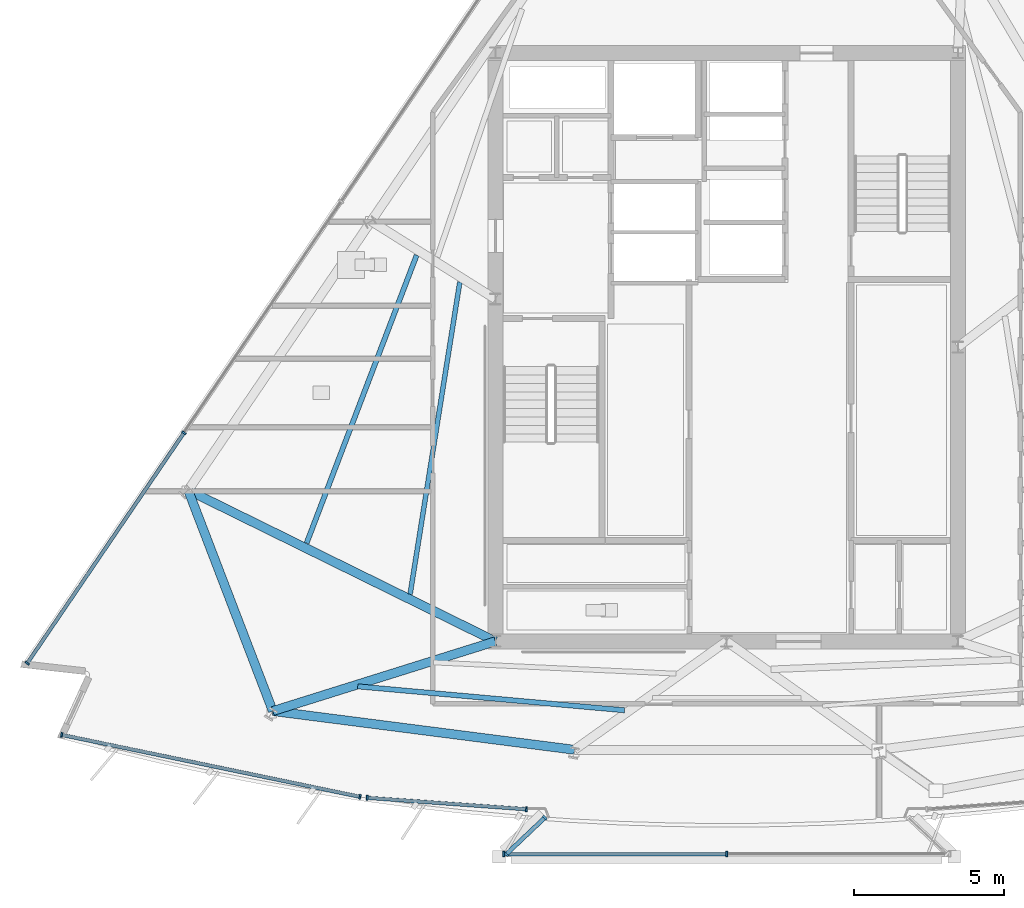
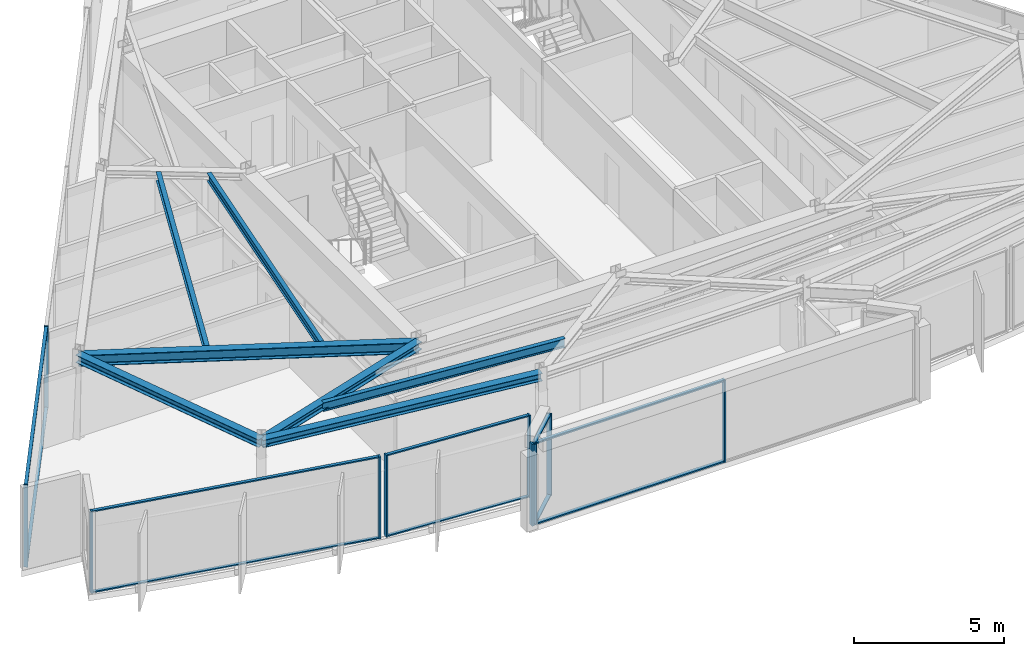
# One storey, part 2 of 13: 20 members, 7 beams, 5 elements without a shape of their own.
"""IFC4 building model written with IfcOpenShell, lengths in metres."""

from ifc_helpers import new_model, si_unit, direction, frame, origin, origin_2d, place, context, subcontext, project, spatial, rectangle, i_section, extrude, material, material_profile, profile_set, type_object, element, aggregate, save


model = new_model("IFC4")

# Units and contexts
model_context = context("Model", 3, precision=1e-05, world=origin(), true_north=direction((0.0, 1.0)))
body_context = subcontext(model_context, "Body", "Model", "MODEL_VIEW")
ifc_project = project(units=[si_unit("LENGTHUNIT", "METRE"), si_unit("AREAUNIT", "SQUARE_METRE"), si_unit("VOLUMEUNIT", "CUBIC_METRE"), si_unit("PLANEANGLEUNIT", "RADIAN"), si_unit("MASSUNIT", "GRAM", prefix="KILO")], contexts=[model_context])

# Site, building, storey
site_placement = place(None, origin())
site = spatial("IfcSite", under=ifc_project, at=site_placement, CompositionType="ELEMENT")
building_placement = place(site_placement, origin())
building = spatial("IfcBuilding", under=site, at=building_placement, Name="Savorim Split Tower", CompositionType="ELEMENT")
storey_placement = place(building_placement, frame((0.0, 0.0, 286.800048828125)))
storey = spatial("IfcBuildingStorey", under=building, at=storey_placement, Name="L76", CompositionType="ELEMENT", Elevation=286.800048828125)

# Beams
ifc_material_1 = material(Name="Steel S355", Category="steel")
ifc_material_profile_1 = material_profile(ifc_material_1, i_section(OverallWidth=0.159912109375, OverallDepth=0.330078125, WebThickness=0.007568359375, FlangeThickness=0.011474609375, FilletRadius=0.01806640625, at=origin_2d()), Name="IPE 330")
ifc_profile_set_1 = profile_set([ifc_material_profile_1], Name="Steel S355")
beam_type_1 = type_object("IfcBeamType", Name="BM-JST-IPE330", PredefinedType="JOIST", material=ifc_profile_set_1)
beam_1_placement = place(storey_placement, frame((-8.88330078125, 2.56787109375, 3.18505859375), z_axis=(-0.157267149266, -0.987556096514, 0.0), x_axis=(0.987556096514, -0.157267149266, 0.0)))
element("IfcBeam", 1, at=beam_1_placement, inside=storey, type_object=beam_type_1, Name="L76 Secondary Floor Joist JS-11", PredefinedType="JOIST", context=body_context, shape_type="SweptSolid", body=[
    extrude(i_section(OverallWidth=0.159912109375, OverallDepth=0.330078125, WebThickness=0.007568359375, FlangeThickness=0.011474609375, FilletRadius=0.01806640625, at=origin_2d()), origin(), (0.0, 0.0, 1.0), 10.531494140625),
])
ifc_material_profile_2 = material_profile(ifc_material_1, i_section(OverallWidth=0.169921875, OverallDepth=0.360107421875, WebThickness=0.008056640625, FlangeThickness=0.0126953125, FilletRadius=0.01806640625, at=origin_2d()), Name="IPE 360")
ifc_profile_set_2 = profile_set([ifc_material_profile_2], Name="Steel S355")
beam_type_2 = type_object("IfcBeamType", Name="BM-JST-IPE360", PredefinedType="JOIST", material=ifc_profile_set_2)
beam_2_placement = place(storey_placement, frame((-12.28369140625, -10.900390625, 3.169921875), z_axis=(0.996000423951, -0.089348505807, 0.0), x_axis=(0.089348505807, 0.996000423951, 0.0)))
element("IfcBeam", 2, at=beam_2_placement, inside=storey, type_object=beam_type_2, Name="L76 Secondary Floor Joist JS-01", PredefinedType="JOIST", context=body_context, shape_type="SweptSolid", body=[
    extrude(i_section(OverallWidth=0.169921875, OverallDepth=0.360107421875, WebThickness=0.008056640625, FlangeThickness=0.0126953125, FilletRadius=0.01806640625, at=origin_2d()), origin(), (0.0, 0.0, 1.0), 8.918701171875),
])
beam_3_placement = place(storey_placement, frame((-10.32177734375, 3.4580078125, 3.169921875), z_axis=(-0.357005014698, -0.934102467334, 0.0), x_axis=(0.934102467334, -0.357005014698, 0.0)))
element("IfcBeam", 3, at=beam_3_placement, inside=storey, type_object=beam_type_2, Name="L76 Secondary Floor Joist JS-10", PredefinedType="JOIST", context=body_context, shape_type="SweptSolid", body=[
    extrude(i_section(OverallWidth=0.169921875, OverallDepth=0.360107421875, WebThickness=0.008056640625, FlangeThickness=0.0126953125, FilletRadius=0.01806640625, at=origin_2d()), origin(), (0.0, 0.0, 1.0), 10.263916015625),
])
ifc_material_profile_3 = material_profile(ifc_material_1, i_section(OverallWidth=0.300048828125, OverallDepth=0.300048828125, WebThickness=0.010986328125, FlangeThickness=0.01904296875, FilletRadius=0.027099609375, at=origin_2d()), Name="HEB 300")
ifc_profile_set_3 = profile_set([ifc_material_profile_3], Name="Steel S355")
beam_type_3 = type_object("IfcBeamType", Name="BM-PRI-HEB300", PredefinedType="BEAM", material=ifc_profile_set_3)
beam_4_placement = place(storey_placement, frame((-15.111083984375, -11.7216796875, 3.199951171875), z_axis=(0.954267179997, 0.298955095591, 0.0), x_axis=(-0.298955095591, 0.954267179997, 0.0)))
element("IfcBeam", 4, at=beam_4_placement, inside=storey, type_object=beam_type_3, Name="L76 Primary Floor Girder RG-01", PredefinedType="BEAM", context=body_context, shape_type="SweptSolid", body=[
    extrude(i_section(OverallWidth=0.300048828125, OverallDepth=0.300048828125, WebThickness=0.010986328125, FlangeThickness=0.01904296875, FilletRadius=0.027099609375, at=origin_2d()), origin(), (0.0, 0.0, 1.0), 7.766357421875),
])
ifc_material_profile_4 = material_profile(ifc_material_1, i_section(OverallWidth=0.300048828125, OverallDepth=0.449951171875, WebThickness=0.013916015625, FlangeThickness=0.02587890625, FilletRadius=0.027099609375, at=origin_2d()), Name="HEB 450")
ifc_profile_set_4 = profile_set([ifc_material_profile_4], Name="Steel S355")
beam_type_4 = type_object("IfcBeamType", Name="BM-PRI-HEB450", PredefinedType="BEAM", material=ifc_profile_set_4)
beam_5_placement = place(storey_placement, frame((-17.930908203125, -4.366455078125, 3.125), z_axis=(0.897286430112, -0.441448821878, 0.0), x_axis=(0.441448821878, 0.897286430112, 0.0)))
element("IfcBeam", 5, at=beam_5_placement, inside=storey, type_object=beam_type_4, Name="L76 Primary Floor Girder RG-10", PredefinedType="BEAM", context=body_context, shape_type="SweptSolid", body=[
    extrude(i_section(OverallWidth=0.300048828125, OverallDepth=0.449951171875, WebThickness=0.013916015625, FlangeThickness=0.02587890625, FilletRadius=0.027099609375, at=origin_2d()), origin(), (0.0, 0.0, 1.0), 11.402099609375),
])
ifc_material_profile_5 = material_profile(ifc_material_1, i_section(OverallWidth=0.300048828125, OverallDepth=0.31005859375, WebThickness=0.009033203125, FlangeThickness=0.015380859375, FilletRadius=0.027099609375, at=origin_2d()), Name="HEA 320")
ifc_profile_set_5 = profile_set([ifc_material_profile_5], Name="Steel S355")
beam_type_5 = type_object("IfcBeamType", Name="BM-SPN-HEA320", PredefinedType="SPANDREL", material=ifc_profile_set_5)
beam_6_placement = place(storey_placement, frame((-15.111083984375, -11.7216796875, 3.195068359375), z_axis=(0.991856231817, -0.127362535332, 0.0), x_axis=(0.127362535332, 0.991856231817, 0.0)))
element("IfcBeam", 6, at=beam_6_placement, inside=storey, type_object=beam_type_5, Name="L76 Perimeter Spandrel Beam 1", PredefinedType="SPANDREL", context=body_context, shape_type="SweptSolid", body=[
    extrude(i_section(OverallWidth=0.300048828125, OverallDepth=0.31005859375, WebThickness=0.009033203125, FlangeThickness=0.015380859375, FilletRadius=0.027099609375, at=origin_2d()), origin(), (0.0, 0.0, 1.0), 10.12890625),
])
beam_7_placement = place(storey_placement, frame((-17.930908203125, -4.366455078125, 3.195068359375), z_axis=(0.357971590889, -0.93373247781, 0.0), x_axis=(0.93373247781, 0.357971590889, 0.0)))
element("IfcBeam", 7, at=beam_7_placement, inside=storey, type_object=beam_type_5, Name="L76 Perimeter Spandrel Beam 10", PredefinedType="SPANDREL", context=body_context, shape_type="SweptSolid", body=[
    extrude(i_section(OverallWidth=0.300048828125, OverallDepth=0.31005859375, WebThickness=0.009033203125, FlangeThickness=0.015380859375, FilletRadius=0.027099609375, at=origin_2d()), origin(), (0.0, 0.0, 1.0), 7.877197265625),
])

# Curtain wall, members
ifc_material_2 = material(Name="Dark Ceramic-Fritted Insulated Glass", Category="glass")
curtain_wall_type_1 = type_object("IfcCurtainWallType", Name="CW-TWR-FRIT-B", PredefinedType="NOTDEFINED", material=ifc_material_2)
curtain_wall_1_placement = place(storey_placement, origin())
curtain_wall_1 = element("IfcCurtainWall", 8, at=curtain_wall_1_placement, inside=storey, type_object=curtain_wall_type_1, Name="L76 Curtain Wall CW-L76-SF1A", PredefinedType="NOTDEFINED")
ifc_material_3 = material(Name="Charcoal Anodised Aluminium", Category="aluminium")
ifc_material_profile_6 = material_profile(ifc_material_3, rectangle(XDim=0.159912109375, YDim=0.06005859375, at=origin_2d()), Name="ALU-M 160x60")
ifc_profile_set_6 = profile_set([ifc_material_profile_6], Name="Charcoal Anodised Aluminium")
member_type_1 = type_object("IfcMemberType", Name="CWM-160x60", PredefinedType="MULLION", material=ifc_profile_set_6)
member_1_placement = place(storey_placement, frame((-22.142333984375, -12.514892578125, 0.0), z_axis=(0.0, 0.0, 1.0), x_axis=(0.203215038861, 0.979134131762, 0.0)))
member_1 = element("IfcMember", 9, at=member_1_placement, type_object=member_type_1, Name="CW-03 mullion 1", PredefinedType="MULLION", context=body_context, shape_type="SweptSolid", body=[
    extrude(rectangle(XDim=0.159912109375, YDim=0.06005859375, at=origin_2d()), origin(), (0.0, 0.0, 1.0), 3.349853515625),
])
member_2_placement = place(storey_placement, frame((-12.20849609375, -14.57666015625, 0.0), z_axis=(0.0, 0.0, 1.0), x_axis=(0.203215038861, 0.979134131762, 0.0)))
member_2 = element("IfcMember", 10, at=member_2_placement, type_object=member_type_1, Name="CW-03 mullion 2", PredefinedType="MULLION", context=body_context, shape_type="SweptSolid", body=[
    extrude(rectangle(XDim=0.159912109375, YDim=0.06005859375, at=origin_2d()), origin(), (0.0, 0.0, 1.0), 3.349853515625),
])

curtain_wall_2_placement = place(storey_placement, origin())
curtain_wall_2 = element("IfcCurtainWall", 11, at=curtain_wall_2_placement, inside=storey, type_object=curtain_wall_type_1, Name="L76 Curtain Wall CW-L76-SF2A", PredefinedType="NOTDEFINED")
member_3_placement = place(storey_placement, frame((-11.967529296875, -14.610107421875, 0.0), z_axis=(0.0, 0.0, 1.0), x_axis=(0.071549884359, 0.997437022598, 0.0)))
member_3 = element("IfcMember", 12, at=member_3_placement, type_object=member_type_1, Name="CW-03 mullion 1", PredefinedType="MULLION", context=body_context, shape_type="SweptSolid", body=[
    extrude(rectangle(XDim=0.159912109375, YDim=0.06005859375, at=origin_2d()), origin(), (0.0, 0.0, 1.0), 3.349853515625),
])
member_4_placement = place(storey_placement, frame((-6.667236328125, -14.990234375, 0.0), z_axis=(0.0, 0.0, 1.0), x_axis=(0.071549884359, 0.997437022598, 0.0)))
member_4 = element("IfcMember", 13, at=member_4_placement, type_object=member_type_1, Name="CW-03 mullion 2", PredefinedType="MULLION", context=body_context, shape_type="SweptSolid", body=[
    extrude(rectangle(XDim=0.159912109375, YDim=0.06005859375, at=origin_2d()), origin(), (0.0, 0.0, 1.0), 3.349853515625),
])

curtain_wall_3_placement = place(storey_placement, origin())
curtain_wall_3 = element("IfcCurtainWall", 14, at=curtain_wall_3_placement, inside=storey, type_object=curtain_wall_type_1, Name="L76 Curtain Wall CW-L76-WEST", PredefinedType="NOTDEFINED")
member_5_placement = place(storey_placement, frame((-18.0693359375, -2.455078125, 0.0), z_axis=(0.0, 0.0, 1.0), x_axis=(0.826817636776, -0.562470084107, 0.0)))
member_5 = element("IfcMember", 15, at=member_5_placement, type_object=member_type_1, Name="CW-03 mullion 3", PredefinedType="MULLION", context=body_context, shape_type="SweptSolid", body=[
    extrude(rectangle(XDim=0.159912109375, YDim=0.06005859375, at=origin_2d()), origin(), (0.0, 0.0, 1.0), 3.349853515625),
])
member_6_placement = place(storey_placement, frame((-23.29052734375, -10.130126953125, 0.0), z_axis=(0.0, 0.0, 1.0), x_axis=(0.826817636776, -0.562470084107, 0.0)))
member_6 = element("IfcMember", 16, at=member_6_placement, type_object=member_type_1, Name="CW-03 mullion 4", PredefinedType="MULLION", context=body_context, shape_type="SweptSolid", body=[
    extrude(rectangle(XDim=0.159912109375, YDim=0.06005859375, at=origin_2d()), origin(), (0.0, 0.0, 1.0), 3.349853515625),
])

curtain_wall_type_2 = type_object("IfcCurtainWallType", Name="CW-BAY-LOUNGE", PredefinedType="NOTDEFINED", material=ifc_material_2)
curtain_wall_4_placement = place(storey_placement, origin())
curtain_wall_4 = element("IfcCurtainWall", 17, at=curtain_wall_4_placement, inside=storey, type_object=curtain_wall_type_2, Name="L76 Curtain Wall CW-L76-BAYF", PredefinedType="NOTDEFINED")
ifc_material_profile_7 = material_profile(ifc_material_3, rectangle(XDim=0.179931640625, YDim=0.06494140625, at=origin_2d()), Name="ALU-M 180x65")
ifc_profile_set_7 = profile_set([ifc_material_profile_7], Name="Charcoal Anodised Aluminium")
member_type_2 = type_object("IfcMemberType", Name="CWM-180x65", PredefinedType="MULLION", material=ifc_profile_set_7)
member_7_placement = place(storey_placement, frame((-7.426025390625, -16.4794921875, 0.0), z_axis=(0.0, 0.0, 1.0), x_axis=(0.0, 1.0, 0.0)))
member_7 = element("IfcMember", 18, at=member_7_placement, type_object=member_type_2, Name="CW-04 mullion 1", PredefinedType="MULLION", context=body_context, shape_type="SweptSolid", body=[
    extrude(rectangle(XDim=0.179931640625, YDim=0.06494140625, at=origin_2d()), origin(), (0.0, 0.0, 1.0), 3.349853515625),
])
member_8_placement = place(storey_placement, frame((0.0, -16.4794921875, 0.0), z_axis=(0.0, 0.0, 1.0), x_axis=(0.0, 1.0, 0.0)))
member_8 = element("IfcMember", 19, at=member_8_placement, type_object=member_type_2, Name="CW-04 mullion 2", PredefinedType="MULLION", context=body_context, shape_type="SweptSolid", body=[
    extrude(rectangle(XDim=0.179931640625, YDim=0.06494140625, at=origin_2d()), origin(), (0.0, 0.0, 1.0), 3.349853515625),
])

curtain_wall_5_placement = place(storey_placement, origin())
curtain_wall_5 = element("IfcCurtainWall", 20, at=curtain_wall_5_placement, inside=storey, type_object=curtain_wall_type_2, Name="L76 Curtain Wall CW-L76-BAYW", PredefinedType="NOTDEFINED")
member_9_placement = place(storey_placement, frame((-6.052490234375, -15.271484375, 0.0), z_axis=(0.0, 0.0, 1.0), x_axis=(0.68774767108, -0.725949819839, 0.0)))
member_9 = element("IfcMember", 21, at=member_9_placement, type_object=member_type_2, Name="CW-04 mullion 1", PredefinedType="MULLION", context=body_context, shape_type="SweptSolid", body=[
    extrude(rectangle(XDim=0.179931640625, YDim=0.06494140625, at=origin_2d()), origin(), (0.0, 0.0, 1.0), 3.349853515625),
])
member_10_placement = place(storey_placement, frame((-7.33740234375, -16.48876953125, 0.0), z_axis=(0.0, 0.0, 1.0), x_axis=(0.68774767108, -0.725949819839, 0.0)))
member_10 = element("IfcMember", 22, at=member_10_placement, type_object=member_type_2, Name="CW-04 mullion 2", PredefinedType="MULLION", context=body_context, shape_type="SweptSolid", body=[
    extrude(rectangle(XDim=0.179931640625, YDim=0.06494140625, at=origin_2d()), origin(), (0.0, 0.0, 1.0), 3.349853515625),
])

# Member
ifc_material_profile_8 = material_profile(ifc_material_3, rectangle(XDim=0.1201171875, YDim=0.050048828125, at=origin_2d()), Name="ALU-T 120x50")
ifc_profile_set_8 = profile_set([ifc_material_profile_8], Name="Charcoal Anodised Aluminium")
member_type_3 = type_object("IfcMemberType", Name="CWT-120x50", PredefinedType="USERDEFINED", material=ifc_profile_set_8)
member_11_placement = place(storey_placement, frame((-22.113037109375, -12.52099609375, 0.02490234375), z_axis=(0.9791332013, -0.203219521977, 0.0), x_axis=(0.203219521977, 0.9791332013, 0.0)))
member_11 = element("IfcMember", 23, at=member_11_placement, type_object=member_type_3, Name="CW-03 transom 1.1", ObjectType="TRANSOM", PredefinedType="USERDEFINED", context=body_context, shape_type="SweptSolid", body=[
    extrude(rectangle(XDim=0.1201171875, YDim=0.050048828125, at=origin_2d()), origin(), (0.0, 0.0, 1.0), 10.08544921875),
])

member_12_placement = place(storey_placement, frame((-22.113037109375, -12.52099609375, 3.324951171875), z_axis=(0.9791332013, -0.203219521977, 0.0), x_axis=(0.203219521977, 0.9791332013, 0.0)))
member_12 = element("IfcMember", 24, at=member_12_placement, type_object=member_type_3, Name="CW-03 transom 1.2", ObjectType="TRANSOM", PredefinedType="USERDEFINED", context=body_context, shape_type="SweptSolid", body=[
    extrude(rectangle(XDim=0.1201171875, YDim=0.050048828125, at=origin_2d()), origin(), (0.0, 0.0, 1.0), 10.08544921875),
])

aggregate(curtain_wall_1, [member_1, member_2, member_11, member_12])

member_13_placement = place(storey_placement, frame((-11.9375, -14.6123046875, 0.02490234375), z_axis=(0.997436004079, -0.071564081545, 0.0), x_axis=(0.071564081545, 0.997436004079, 0.0)))
member_13 = element("IfcMember", 25, at=member_13_placement, type_object=member_type_3, Name="CW-03 transom 1.1", ObjectType="TRANSOM", PredefinedType="USERDEFINED", context=body_context, shape_type="SweptSolid", body=[
    extrude(rectangle(XDim=0.1201171875, YDim=0.050048828125, at=origin_2d()), origin(), (0.0, 0.0, 1.0), 5.253662109375),
])

member_14_placement = place(storey_placement, frame((-11.9375, -14.6123046875, 3.324951171875), z_axis=(0.997436004079, -0.071564081545, 0.0), x_axis=(0.071564081545, 0.997436004079, 0.0)))
member_14 = element("IfcMember", 26, at=member_14_placement, type_object=member_type_3, Name="CW-03 transom 1.2", ObjectType="TRANSOM", PredefinedType="USERDEFINED", context=body_context, shape_type="SweptSolid", body=[
    extrude(rectangle(XDim=0.1201171875, YDim=0.050048828125, at=origin_2d()), origin(), (0.0, 0.0, 1.0), 5.253662109375),
])

aggregate(curtain_wall_2, [member_3, member_4, member_13, member_14])

member_15_placement = place(storey_placement, frame((-18.08642578125, -2.47998046875, 0.02490234375), z_axis=(-0.562452655361, -0.826829492989, 0.0), x_axis=(0.826829492989, -0.562452655361, 0.0)))
member_15 = element("IfcMember", 27, at=member_15_placement, type_object=member_type_3, Name="CW-03 transom 3.1", ObjectType="TRANSOM", PredefinedType="USERDEFINED", context=body_context, shape_type="SweptSolid", body=[
    extrude(rectangle(XDim=0.1201171875, YDim=0.050048828125, at=origin_2d()), origin(), (0.0, 0.0, 1.0), 9.22265625),
])

member_16_placement = place(storey_placement, frame((-18.08642578125, -2.47998046875, 3.324951171875), z_axis=(-0.562452655361, -0.826829492989, 0.0), x_axis=(0.826829492989, -0.562452655361, 0.0)))
member_16 = element("IfcMember", 28, at=member_16_placement, type_object=member_type_3, Name="CW-03 transom 3.2", ObjectType="TRANSOM", PredefinedType="USERDEFINED", context=body_context, shape_type="SweptSolid", body=[
    extrude(rectangle(XDim=0.1201171875, YDim=0.050048828125, at=origin_2d()), origin(), (0.0, 0.0, 1.0), 9.22265625),
])

aggregate(curtain_wall_3, [member_5, member_6, member_15, member_16])

ifc_material_profile_9 = material_profile(ifc_material_3, rectangle(XDim=0.139892578125, YDim=0.054931640625, at=origin_2d()), Name="ALU-T 140x55")
ifc_profile_set_9 = profile_set([ifc_material_profile_9], Name="Charcoal Anodised Aluminium")
member_type_4 = type_object("IfcMemberType", Name="CWT-140x55", PredefinedType="USERDEFINED", material=ifc_profile_set_9)
member_17_placement = place(storey_placement, frame((-7.3935546875, -16.4794921875, 0.02734375), z_axis=(1.0, 0.0, 0.0), x_axis=(0.0, 1.0, 0.0)))
member_17 = element("IfcMember", 29, at=member_17_placement, type_object=member_type_4, Name="CW-04 transom 1.1", ObjectType="TRANSOM", PredefinedType="USERDEFINED", context=body_context, shape_type="SweptSolid", body=[
    extrude(rectangle(XDim=0.139892578125, YDim=0.054931640625, at=origin_2d()), origin(), (0.0, 0.0, 1.0), 7.361083984375),
])

member_18_placement = place(storey_placement, frame((-7.3935546875, -16.4794921875, 3.322509765625), z_axis=(1.0, 0.0, 0.0), x_axis=(0.0, 1.0, 0.0)))
member_18 = element("IfcMember", 30, at=member_18_placement, type_object=member_type_4, Name="CW-04 transom 1.2", ObjectType="TRANSOM", PredefinedType="USERDEFINED", context=body_context, shape_type="SweptSolid", body=[
    extrude(rectangle(XDim=0.139892578125, YDim=0.054931640625, at=origin_2d()), origin(), (0.0, 0.0, 1.0), 7.361083984375),
])

aggregate(curtain_wall_4, [member_7, member_8, member_17, member_18])

member_19_placement = place(storey_placement, frame((-6.076171875, -15.293701171875, 0.02734375), z_axis=(-0.725896236465, -0.687804226424, 0.0), x_axis=(0.687804226424, -0.725896236465, 0.0)))
member_19 = element("IfcMember", 31, at=member_19_placement, type_object=member_type_4, Name="CW-04 transom 1.1", ObjectType="TRANSOM", PredefinedType="USERDEFINED", context=body_context, shape_type="SweptSolid", body=[
    extrude(rectangle(XDim=0.139892578125, YDim=0.054931640625, at=origin_2d()), origin(), (0.0, 0.0, 1.0), 1.704833984375),
])

member_20_placement = place(storey_placement, frame((-6.076171875, -15.293701171875, 3.322509765625), z_axis=(-0.725896236465, -0.687804226424, 0.0), x_axis=(0.687804226424, -0.725896236465, 0.0)))
member_20 = element("IfcMember", 32, at=member_20_placement, type_object=member_type_4, Name="CW-04 transom 1.2", ObjectType="TRANSOM", PredefinedType="USERDEFINED", context=body_context, shape_type="SweptSolid", body=[
    extrude(rectangle(XDim=0.139892578125, YDim=0.054931640625, at=origin_2d()), origin(), (0.0, 0.0, 1.0), 1.704833984375),
])

aggregate(curtain_wall_5, [member_9, member_10, member_19, member_20])

save(model, "model.ifc")
